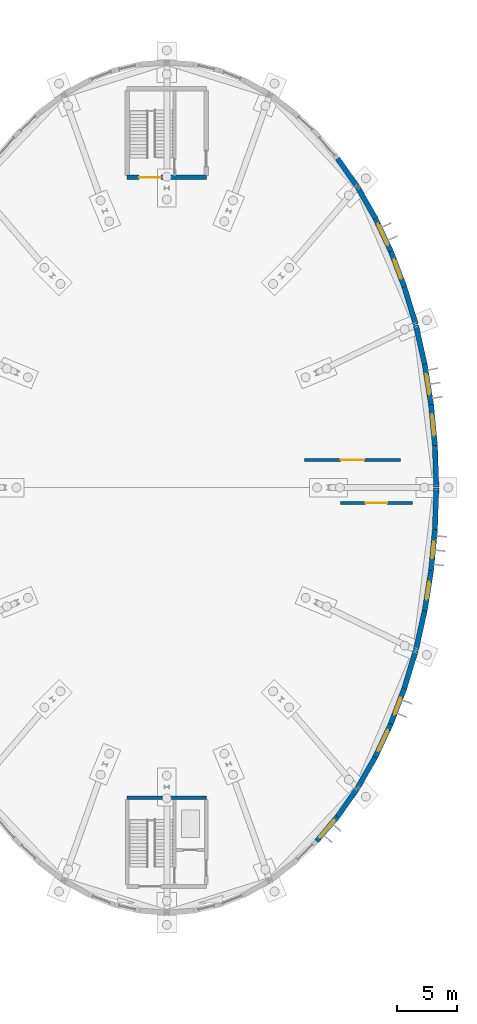
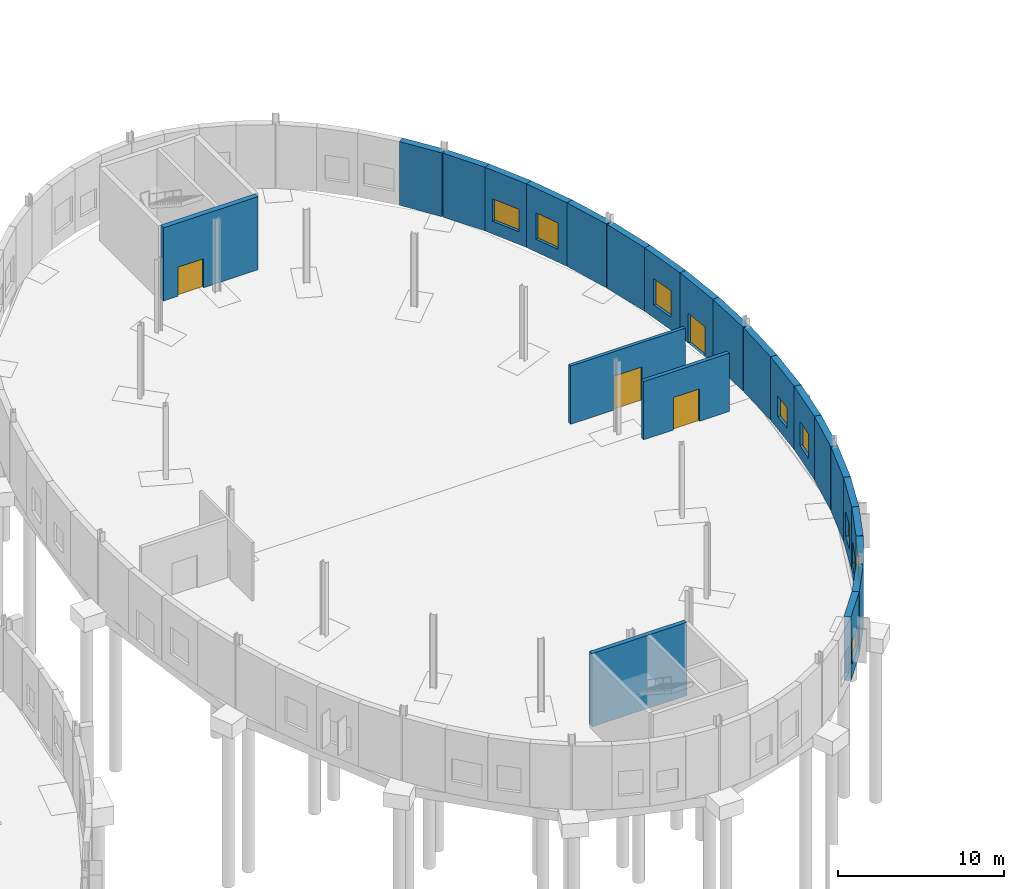
# One storey, part 96 of 118: 23 walls, 8 windows, 4 doors, 12 openings.
"""IFC4 building model written with IfcOpenShell, lengths in metres."""

from ifc_helpers import new_model, si_unit, direction, frame, frame_2d, origin, place, context, subcontext, project, spatial, rectangle, extrude, material, layer, layer_set, type_object, element, fill, save


model = new_model("IFC4")

# Units and contexts
model_context = context("Model", 3, precision=1e-05, world=origin(), true_north=direction((0.0, 1.0)))
body_context = subcontext(model_context, "Body", "Model", "MODEL_VIEW")
ifc_project = project(units=[si_unit("LENGTHUNIT", "METRE"), si_unit("AREAUNIT", "SQUARE_METRE"), si_unit("VOLUMEUNIT", "CUBIC_METRE"), si_unit("PLANEANGLEUNIT", "RADIAN"), si_unit("MASSUNIT", "GRAM", prefix="KILO")], contexts=[model_context])

# Site, building, storey
site_placement = place(None, origin())
site = spatial("IfcSite", under=ifc_project, at=site_placement, CompositionType="ELEMENT")
building_placement = place(site_placement, origin())
building = spatial("IfcBuilding", under=site, at=building_placement, Name="Kildeholm Park Wholesale Market", CompositionType="ELEMENT")
storey_placement = place(building_placement, origin())
storey = spatial("IfcBuildingStorey", under=building, at=storey_placement, Name="L00", CompositionType="ELEMENT", Elevation=0.0)

# Wall
ifc_material_1 = material(Name="Insulated clinker brick and glazed ceramic mosaic facade wall", Category="masonry")
ifc_layer_1 = layer(ifc_material_1, 0.43994140625)
ifc_layer_set_1 = layer_set([ifc_layer_1], Name="Insulated clinker brick and glazed ceramic mosaic facade wall")
wall_type_1 = type_object("IfcWallType", Name="Exterior wall W-EX3 440 mm", PredefinedType="SOLIDWALL", material=ifc_layer_set_1)
wall_1_placement = place(storey_placement, frame((210.5, 94.541015625, 0.0), z_axis=(0.0, 0.0, 1.0), x_axis=(-0.031816182625, 0.999493737111, 0.0)))
element("IfcWall", 1, at=wall_1_placement, inside=storey, type_object=wall_type_1, Name="Oval hall ground wall 1.1 WL-0207", PredefinedType="SOLIDWALL", context=body_context, shape_type="SweptSolid", body=[
    extrude(rectangle(XDim=3.460693359375, YDim=0.43994140625, at=frame_2d((1.73046875, 0.0))), origin(), (0.0, 0.0, 1.0), 4.699951171875),
])

# Wall, opening, door
wall_2_placement = place(storey_placement, frame((210.389892578125, 98.0, 0.0), z_axis=(0.0, 0.0, 1.0), x_axis=(-0.093509939446, 0.995618346167, 0.0)))
wall_2 = element("IfcWall", 2, at=wall_2_placement, inside=storey, type_object=wall_type_1, Name="Oval hall ground wall 1.2 WL-0208", PredefinedType="SOLIDWALL", context=body_context, shape_type="SweptSolid", body=[
    extrude(rectangle(XDim=3.441162109375, YDim=0.43994140625, at=frame_2d((1.720703125, 0.0))), origin(), (0.0, 0.0, 1.0), 4.699951171875),
])
opening_1_placement = place(wall_2_placement, frame((0.821044921875, 0.0, 0.0)))
opening_1 = element("IfcOpeningElement", 3, at=opening_1_placement, cuts=wall_2, Name="Opening D-EX01", PredefinedType="OPENING", context=body_context, shape_type="SweptSolid", body=[
    extrude(rectangle(XDim=1.800048828125, YDim=2.199951171875, at=frame_2d((0.89990234375, 1.10009765625))), frame((0.0, 0.22998046875, 0.0), z_axis=(0.0, -1.0, 0.0), x_axis=(1.0, 0.0, 0.0)), (0.0, 0.0, 1.0), 0.4599609375),
])
ifc_material_2 = material(Name="Anodised aluminium and safety glass", Category="aluminium")
door_type_1 = type_object("IfcDoorType", Name="Exterior door D-EX01 1800x2200", OperationType="NOTDEFINED", PredefinedType="DOOR", material=ifc_material_2)
door_1_placement = place(opening_1_placement, frame((1.800048828125, 0.0, 0.0), z_axis=(0.0, 0.0, 1.0), x_axis=(-1.0, 0.0, 0.0)))
door_1 = element("IfcDoor", 4, at=door_1_placement, inside=storey, type_object=door_type_1, Name="Oval hall public entrance 1 DR-0011 WL-0208", OperationType="DOUBLE_DOOR_SINGLE_SWING", OverallHeight=2.199951171875, OverallWidth=1.800048828125, PredefinedType="DOOR", context=body_context, shape_type="SweptSolid", body=[
    extrude(rectangle(XDim=1.800048828125, YDim=2.199951171875, at=frame_2d((0.89990234375, 1.10009765625))), frame((0.0, 0.02490234375, 0.0), z_axis=(0.0, -1.0, 0.0), x_axis=(1.0, 0.0, 0.0)), (0.0, 0.0, 1.0), 0.050048828125),
])
fill(opening_1, door_1)

# Wall, opening, window
wall_3_placement = place(storey_placement, frame((210.068115234375, 101.426025390625, 0.0), z_axis=(0.0, 0.0, 1.0), x_axis=(-0.156736432103, 0.98764046639, 0.0)))
wall_3 = element("IfcWall", 5, at=wall_3_placement, inside=storey, type_object=wall_type_1, Name="Oval hall ground wall 1.3 WL-0209", PredefinedType="SOLIDWALL", context=body_context, shape_type="SweptSolid", body=[
    extrude(rectangle(XDim=3.40185546875, YDim=0.43994140625, at=frame_2d((1.700927734375, 0.0))), origin(), (0.0, 0.0, 1.0), 4.699951171875),
])
opening_2_placement = place(wall_3_placement, frame((0.85107421875, 0.0, 0.949951171875)))
opening_2 = element("IfcOpeningElement", 6, at=opening_2_placement, cuts=wall_3, Name="Opening WN-21", PredefinedType="OPENING", context=body_context, shape_type="SweptSolid", body=[
    extrude(rectangle(XDim=1.699951171875, YDim=1.949951171875, at=frame_2d((0.85009765625, 0.97509765625))), frame((0.0, 0.22998046875, 0.0), z_axis=(0.0, -1.0, 0.0), x_axis=(1.0, 0.0, 0.0)), (0.0, 0.0, 1.0), 0.4599609375),
])
ifc_material_3 = material(Name="Thermally broken aluminium and triple-glazed low-E glass", Category="aluminium")
window_type_1 = type_object("IfcWindowType", Name="Window WN-21 1700x1950", PartitioningType="DOUBLE_PANEL_VERTICAL", PredefinedType="WINDOW", material=ifc_material_3)
window_1_placement = place(opening_2_placement, origin())
window_1 = element("IfcWindow", 7, at=window_1_placement, inside=storey, type_object=window_type_1, Name="Oval hall ground window 1.2 WIN-0045", OverallHeight=1.949951171875, OverallWidth=1.699951171875, PartitioningType="SINGLE_PANEL", PredefinedType="WINDOW", context=body_context, shape_type="SweptSolid", body=[
    extrude(rectangle(XDim=1.699951171875, YDim=1.949951171875, at=frame_2d((0.85009765625, 0.97509765625))), frame((0.0, 0.030029296875, 0.0), z_axis=(0.0, -1.0, 0.0), x_axis=(1.0, 0.0, 0.0)), (0.0, 0.0, 1.0), 0.06005859375),
])
fill(opening_2, window_1)

# Walls
wall_4_placement = place(storey_placement, frame((209.534912109375, 104.785888671875, 0.0), z_axis=(0.0, 0.0, 1.0), x_axis=(-0.220592446256, 0.975366071101, 0.0)))
element("IfcWall", 8, at=wall_4_placement, inside=storey, type_object=wall_type_1, Name="Oval hall ground wall 1.4 WL-0210", PredefinedType="SOLIDWALL", context=body_context, shape_type="SweptSolid", body=[
    extrude(rectangle(XDim=3.344482421875, YDim=0.43994140625, at=frame_2d((1.67236328125, 0.0))), origin(), (0.0, 0.0, 1.0), 4.699951171875),
])
wall_5_placement = place(storey_placement, frame((208.77587890625, 108.1259765625, 0.0), z_axis=(0.0, 0.0, 1.0), x_axis=(-0.287512482209, 0.957776890812, 0.0)))
element("IfcWall", 9, at=wall_5_placement, inside=storey, type_object=wall_type_1, Name="Oval hall ground wall 2.1 WL-0213", PredefinedType="SOLIDWALL", context=body_context, shape_type="SweptSolid", body=[
    extrude(rectangle(XDim=3.265869140625, YDim=0.43994140625, at=frame_2d((1.6328125, 0.0))), origin(), (0.0, 0.0, 1.0), 4.699951171875),
])

# Wall, opening, window
wall_6_placement = place(storey_placement, frame((207.8369140625, 111.25390625, 0.0), z_axis=(0.0, 0.0, 1.0), x_axis=(-0.355407153168, 0.934711589463, 0.0)))
wall_6 = element("IfcWall", 10, at=wall_6_placement, inside=storey, type_object=wall_type_1, Name="Oval hall ground wall 2.2 WL-0214", PredefinedType="SOLIDWALL", context=body_context, shape_type="SweptSolid", body=[
    extrude(rectangle(XDim=3.17626953125, YDim=0.43994140625, at=frame_2d((1.588134765625, 0.0))), origin(), (0.0, 0.0, 1.0), 4.699951171875),
])
opening_3_placement = place(wall_6_placement, frame((0.738037109375, 0.0, 0.949951171875)))
opening_3 = element("IfcOpeningElement", 11, at=opening_3_placement, cuts=wall_6, Name="Opening WN-21", PredefinedType="OPENING", context=body_context, shape_type="SweptSolid", body=[
    extrude(rectangle(XDim=1.699951171875, YDim=1.949951171875, at=frame_2d((0.85009765625, 0.97509765625))), frame((0.0, 0.22998046875, 0.0), z_axis=(0.0, -1.0, 0.0), x_axis=(1.0, 0.0, 0.0)), (0.0, 0.0, 1.0), 0.4599609375),
])
window_2_placement = place(opening_3_placement, origin())
window_2 = element("IfcWindow", 12, at=window_2_placement, inside=storey, type_object=window_type_1, Name="Oval hall ground window 2.1 WIN-0048", OverallHeight=1.949951171875, OverallWidth=1.699951171875, PartitioningType="SINGLE_PANEL", PredefinedType="WINDOW", context=body_context, shape_type="SweptSolid", body=[
    extrude(rectangle(XDim=1.699951171875, YDim=1.949951171875, at=frame_2d((0.85009765625, 0.97509765625))), frame((0.0, 0.030029296875, 0.0), z_axis=(0.0, -1.0, 0.0), x_axis=(1.0, 0.0, 0.0)), (0.0, 0.0, 1.0), 0.06005859375),
])
fill(opening_3, window_2)

wall_7_placement = place(storey_placement, frame((206.7080078125, 114.222900390625, 0.0), z_axis=(0.0, 0.0, 1.0), x_axis=(-0.425050654278, 0.905169564942, 0.0)))
wall_7 = element("IfcWall", 13, at=wall_7_placement, inside=storey, type_object=wall_type_1, Name="Oval hall ground wall 2.3 WL-0215", PredefinedType="SOLIDWALL", context=body_context, shape_type="SweptSolid", body=[
    extrude(rectangle(XDim=3.072265625, YDim=0.43994140625, at=frame_2d((1.5361328125, 0.0))), origin(), (0.0, 0.0, 1.0), 4.699951171875),
])
opening_4_placement = place(wall_7_placement, frame((0.56103515625, 0.0, 0.949951171875)))
opening_4 = element("IfcOpeningElement", 14, at=opening_4_placement, cuts=wall_7, Name="Opening WN-22", PredefinedType="OPENING", context=body_context, shape_type="SweptSolid", body=[
    extrude(rectangle(XDim=1.949951171875, YDim=1.64990234375, at=frame_2d((0.97509765625, 0.824951171875))), frame((0.0, 0.22998046875, 0.0), z_axis=(0.0, -1.0, 0.0), x_axis=(1.0, 0.0, 0.0)), (0.0, 0.0, 1.0), 0.4599609375),
])
window_type_2 = type_object("IfcWindowType", Name="Window WN-22 1950x1650", PartitioningType="DOUBLE_PANEL_VERTICAL", PredefinedType="WINDOW", material=ifc_material_3)
window_3_placement = place(opening_4_placement, origin())
window_3 = element("IfcWindow", 15, at=window_3_placement, inside=storey, type_object=window_type_2, Name="Oval hall ground window 2.2 WIN-0049", OverallHeight=1.64990234375, OverallWidth=1.949951171875, PartitioningType="SINGLE_PANEL", PredefinedType="WINDOW", context=body_context, shape_type="SweptSolid", body=[
    extrude(rectangle(XDim=1.949951171875, YDim=1.64990234375, at=frame_2d((0.97509765625, 0.824951171875))), frame((0.0, 0.030029296875, 0.0), z_axis=(0.0, -1.0, 0.0), x_axis=(1.0, 0.0, 0.0)), (0.0, 0.0, 1.0), 0.06005859375),
])
fill(opening_4, window_3)

# Walls
wall_8_placement = place(storey_placement, frame((205.402099609375, 117.00390625, 0.0), z_axis=(0.0, 0.0, 1.0), x_axis=(-0.497471035599, 0.867480586953, 0.0)))
element("IfcWall", 16, at=wall_8_placement, inside=storey, type_object=wall_type_1, Name="Oval hall ground wall 2.4 WL-0216", PredefinedType="SOLIDWALL", context=body_context, shape_type="SweptSolid", body=[
    extrude(rectangle(XDim=2.959228515625, YDim=0.43994140625, at=frame_2d((1.4794921875, 0.0))), origin(), (0.0, 0.0, 1.0), 4.699951171875),
])
wall_9_placement = place(storey_placement, frame((203.885986328125, 119.638916015625, 0.0), z_axis=(0.0, 0.0, 1.0), x_axis=(-0.57368792347, 0.81907396886, 0.0)))
element("IfcWall", 17, at=wall_9_placement, inside=storey, type_object=wall_type_1, Name="Oval hall ground wall 3.1 WL-0219", PredefinedType="SOLIDWALL", context=body_context, shape_type="SweptSolid", body=[
    extrude(rectangle(XDim=2.83251953125, YDim=0.43994140625, at=frame_2d((1.416259765625, 0.0))), origin(), (0.0, 0.0, 1.0), 4.699951171875),
])

# Wall, opening, window
wall_10_placement = place(storey_placement, frame((200.5, 64.98291015625, 0.0), z_axis=(0.0, 0.0, 1.0), x_axis=(0.650130504047, 0.759822563305, 0.0)))
wall_10 = element("IfcWall", 18, at=wall_10_placement, inside=storey, type_object=wall_type_1, Name="Oval hall ground wall 14.3 WL-0287", PredefinedType="SOLIDWALL", context=body_context, shape_type="SweptSolid", body=[
    extrude(rectangle(XDim=2.708740234375, YDim=0.43994140625, at=frame_2d((1.3544921875, 0.0))), origin(), (0.0, 0.0, 1.0), 4.699951171875),
])
opening_5_placement = place(wall_10_placement, frame((0.37890625, 0.0, 0.949951171875)))
opening_5 = element("IfcOpeningElement", 19, at=opening_5_placement, cuts=wall_10, Name="Opening WN-22", PredefinedType="OPENING", context=body_context, shape_type="SweptSolid", body=[
    extrude(rectangle(XDim=1.949951171875, YDim=1.64990234375, at=frame_2d((0.97509765625, 0.824951171875))), frame((0.0, 0.22998046875, 0.0), z_axis=(0.0, -1.0, 0.0), x_axis=(1.0, 0.0, 0.0)), (0.0, 0.0, 1.0), 0.4599609375),
])
window_4_placement = place(opening_5_placement, origin())
window_4 = element("IfcWindow", 20, at=window_4_placement, inside=storey, type_object=window_type_2, Name="Oval hall ground window 14.2 WIN-0082", OverallHeight=1.64990234375, OverallWidth=1.949951171875, PartitioningType="SINGLE_PANEL", PredefinedType="WINDOW", context=body_context, shape_type="SweptSolid", body=[
    extrude(rectangle(XDim=1.949951171875, YDim=1.64990234375, at=frame_2d((0.97509765625, 0.824951171875))), frame((0.0, 0.030029296875, 0.0), z_axis=(0.0, -1.0, 0.0), x_axis=(1.0, 0.0, 0.0)), (0.0, 0.0, 1.0), 0.06005859375),
])
fill(opening_5, window_4)

# Walls
wall_11_placement = place(storey_placement, frame((202.260986328125, 67.041015625, 0.0), z_axis=(0.0, 0.0, 1.0), x_axis=(0.57368792347, 0.81907396886, 0.0)))
element("IfcWall", 21, at=wall_11_placement, inside=storey, type_object=wall_type_1, Name="Oval hall ground wall 14.4 WL-0288", PredefinedType="SOLIDWALL", context=body_context, shape_type="SweptSolid", body=[
    extrude(rectangle(XDim=2.83251953125, YDim=0.43994140625, at=frame_2d((1.416259765625, 0.0))), origin(), (0.0, 0.0, 1.0), 4.699951171875),
])
wall_12_placement = place(storey_placement, frame((203.929931640625, 69.428955078125, 0.0), z_axis=(0.0, 0.0, 1.0), x_axis=(0.497471035599, 0.867480586953, 0.0)))
element("IfcWall", 22, at=wall_12_placement, inside=storey, type_object=wall_type_1, Name="Oval hall ground wall 15.1 WL-0291", PredefinedType="SOLIDWALL", context=body_context, shape_type="SweptSolid", body=[
    extrude(rectangle(XDim=2.959228515625, YDim=0.43994140625, at=frame_2d((1.4794921875, 0.0))), origin(), (0.0, 0.0, 1.0), 4.699951171875),
])

# Wall, opening, window
wall_13_placement = place(storey_placement, frame((205.402099609375, 71.99609375, 0.0), z_axis=(0.0, 0.0, 1.0), x_axis=(0.425050654278, 0.905169564942, 0.0)))
wall_13 = element("IfcWall", 23, at=wall_13_placement, inside=storey, type_object=wall_type_1, Name="Oval hall ground wall 15.2 WL-0292", PredefinedType="SOLIDWALL", context=body_context, shape_type="SweptSolid", body=[
    extrude(rectangle(XDim=3.072265625, YDim=0.43994140625, at=frame_2d((1.5361328125, 0.0))), origin(), (0.0, 0.0, 1.0), 4.699951171875),
])
opening_6_placement = place(wall_13_placement, frame((0.56103515625, 0.0, 0.949951171875)))
opening_6 = element("IfcOpeningElement", 24, at=opening_6_placement, cuts=wall_13, Name="Opening WN-22", PredefinedType="OPENING", context=body_context, shape_type="SweptSolid", body=[
    extrude(rectangle(XDim=1.949951171875, YDim=1.64990234375, at=frame_2d((0.97509765625, 0.824951171875))), frame((0.0, 0.22998046875, 0.0), z_axis=(0.0, -1.0, 0.0), x_axis=(1.0, 0.0, 0.0)), (0.0, 0.0, 1.0), 0.4599609375),
])
window_5_placement = place(opening_6_placement, origin())
window_5 = element("IfcWindow", 25, at=window_5_placement, inside=storey, type_object=window_type_2, Name="Oval hall ground window 15.1 WIN-0083", OverallHeight=1.64990234375, OverallWidth=1.949951171875, PartitioningType="SINGLE_PANEL", PredefinedType="WINDOW", context=body_context, shape_type="SweptSolid", body=[
    extrude(rectangle(XDim=1.949951171875, YDim=1.64990234375, at=frame_2d((0.97509765625, 0.824951171875))), frame((0.0, 0.030029296875, 0.0), z_axis=(0.0, -1.0, 0.0), x_axis=(1.0, 0.0, 0.0)), (0.0, 0.0, 1.0), 0.06005859375),
])
fill(opening_6, window_5)

wall_14_placement = place(storey_placement, frame((206.7080078125, 74.777099609375, 0.0), z_axis=(0.0, 0.0, 1.0), x_axis=(0.355407153168, 0.934711589463, 0.0)))
wall_14 = element("IfcWall", 26, at=wall_14_placement, inside=storey, type_object=wall_type_1, Name="Oval hall ground wall 15.3 WL-0293", PredefinedType="SOLIDWALL", context=body_context, shape_type="SweptSolid", body=[
    extrude(rectangle(XDim=3.17626953125, YDim=0.43994140625, at=frame_2d((1.588134765625, 0.0))), origin(), (0.0, 0.0, 1.0), 4.699951171875),
])
opening_7_placement = place(wall_14_placement, frame((0.837890625, 0.0, 0.949951171875)))
opening_7 = element("IfcOpeningElement", 27, at=opening_7_placement, cuts=wall_14, Name="Opening WN-06", PredefinedType="OPENING", context=body_context, shape_type="SweptSolid", body=[
    extrude(rectangle(XDim=1.5, YDim=1.800048828125, at=frame_2d((0.75, 0.89990234375))), frame((0.0, 0.22998046875, 0.0), z_axis=(0.0, -1.0, 0.0), x_axis=(1.0, 0.0, 0.0)), (0.0, 0.0, 1.0), 0.4599609375),
])
window_type_3 = type_object("IfcWindowType", Name="Window WN-06 1500x1800", PartitioningType="DOUBLE_PANEL_VERTICAL", PredefinedType="WINDOW", material=ifc_material_3)
window_6_placement = place(opening_7_placement, origin())
window_6 = element("IfcWindow", 28, at=window_6_placement, inside=storey, type_object=window_type_3, Name="Oval hall ground window 15.2 WIN-0084", OverallHeight=1.800048828125, OverallWidth=1.5, PartitioningType="SINGLE_PANEL", PredefinedType="WINDOW", context=body_context, shape_type="SweptSolid", body=[
    extrude(rectangle(XDim=1.5, YDim=1.800048828125, at=frame_2d((0.75, 0.89990234375))), frame((0.0, 0.030029296875, 0.0), z_axis=(0.0, -1.0, 0.0), x_axis=(1.0, 0.0, 0.0)), (0.0, 0.0, 1.0), 0.06005859375),
])
fill(opening_7, window_6)

# Walls
wall_15_placement = place(storey_placement, frame((207.8369140625, 77.74609375, 0.0), z_axis=(0.0, 0.0, 1.0), x_axis=(0.287512482209, 0.957776890812, 0.0)))
element("IfcWall", 29, at=wall_15_placement, inside=storey, type_object=wall_type_1, Name="Oval hall ground wall 15.4 WL-0294", PredefinedType="SOLIDWALL", context=body_context, shape_type="SweptSolid", body=[
    extrude(rectangle(XDim=3.265869140625, YDim=0.43994140625, at=frame_2d((1.6328125, 0.0))), origin(), (0.0, 0.0, 1.0), 4.699951171875),
])
wall_16_placement = place(storey_placement, frame((208.797119140625, 80.951904296875, 0.0), z_axis=(0.0, 0.0, 1.0), x_axis=(0.220592446256, 0.975366071101, 0.0)))
element("IfcWall", 30, at=wall_16_placement, inside=storey, type_object=wall_type_1, Name="Oval hall ground wall 16.1 WL-0297", PredefinedType="SOLIDWALL", context=body_context, shape_type="SweptSolid", body=[
    extrude(rectangle(XDim=3.344482421875, YDim=0.43994140625, at=frame_2d((1.67236328125, 0.0))), origin(), (0.0, 0.0, 1.0), 4.699951171875),
])

# Wall, opening, window
wall_17_placement = place(storey_placement, frame((209.534912109375, 84.214111328125, 0.0), z_axis=(0.0, 0.0, 1.0), x_axis=(0.156736432103, 0.98764046639, 0.0)))
wall_17 = element("IfcWall", 31, at=wall_17_placement, inside=storey, type_object=wall_type_1, Name="Oval hall ground wall 16.2 WL-0298", PredefinedType="SOLIDWALL", context=body_context, shape_type="SweptSolid", body=[
    extrude(rectangle(XDim=3.40185546875, YDim=0.43994140625, at=frame_2d((1.700927734375, 0.0))), origin(), (0.0, 0.0, 1.0), 4.699951171875),
])
opening_8_placement = place(wall_17_placement, frame((0.950927734375, 0.0, 0.949951171875)))
opening_8 = element("IfcOpeningElement", 32, at=opening_8_placement, cuts=wall_17, Name="Opening WN-06", PredefinedType="OPENING", context=body_context, shape_type="SweptSolid", body=[
    extrude(rectangle(XDim=1.5, YDim=1.800048828125, at=frame_2d((0.75, 0.89990234375))), frame((0.0, 0.22998046875, 0.0), z_axis=(0.0, -1.0, 0.0), x_axis=(1.0, 0.0, 0.0)), (0.0, 0.0, 1.0), 0.4599609375),
])
window_7_placement = place(opening_8_placement, origin())
window_7 = element("IfcWindow", 33, at=window_7_placement, inside=storey, type_object=window_type_3, Name="Oval hall ground window 16.1 WIN-0087", OverallHeight=1.800048828125, OverallWidth=1.5, PartitioningType="SINGLE_PANEL", PredefinedType="WINDOW", context=body_context, shape_type="SweptSolid", body=[
    extrude(rectangle(XDim=1.5, YDim=1.800048828125, at=frame_2d((0.75, 0.89990234375))), frame((0.0, 0.030029296875, 0.0), z_axis=(0.0, -1.0, 0.0), x_axis=(1.0, 0.0, 0.0)), (0.0, 0.0, 1.0), 0.06005859375),
])
fill(opening_8, window_7)

wall_18_placement = place(storey_placement, frame((210.068115234375, 87.573974609375, 0.0), z_axis=(0.0, 0.0, 1.0), x_axis=(0.093509939446, 0.995618346167, 0.0)))
wall_18 = element("IfcWall", 34, at=wall_18_placement, inside=storey, type_object=wall_type_1, Name="Oval hall ground wall 16.3 WL-0299", PredefinedType="SOLIDWALL", context=body_context, shape_type="SweptSolid", body=[
    extrude(rectangle(XDim=3.441162109375, YDim=0.43994140625, at=frame_2d((1.720703125, 0.0))), origin(), (0.0, 0.0, 1.0), 4.699951171875),
])
opening_9_placement = place(wall_18_placement, frame((1.0458984375, 0.0, 0.949951171875)))
opening_9 = element("IfcOpeningElement", 35, at=opening_9_placement, cuts=wall_18, Name="Opening WN-10", PredefinedType="OPENING", context=body_context, shape_type="SweptSolid", body=[
    extrude(rectangle(XDim=1.35009765625, YDim=1.5, at=frame_2d((0.675048828125, 0.75))), frame((0.0, 0.22998046875, 0.0), z_axis=(0.0, -1.0, 0.0), x_axis=(1.0, 0.0, 0.0)), (0.0, 0.0, 1.0), 0.4599609375),
])
window_type_4 = type_object("IfcWindowType", Name="Window WN-10 1350x1500", PartitioningType="SINGLE_PANEL", PredefinedType="WINDOW", material=ifc_material_3)
window_8_placement = place(opening_9_placement, origin())
window_8 = element("IfcWindow", 36, at=window_8_placement, inside=storey, type_object=window_type_4, Name="Oval hall ground window 16.2 WIN-0088", OverallHeight=1.5, OverallWidth=1.35009765625, PartitioningType="SINGLE_PANEL", PredefinedType="WINDOW", context=body_context, shape_type="SweptSolid", body=[
    extrude(rectangle(XDim=1.35009765625, YDim=1.5, at=frame_2d((0.675048828125, 0.75))), frame((0.0, 0.030029296875, 0.0), z_axis=(0.0, -1.0, 0.0), x_axis=(1.0, 0.0, 0.0)), (0.0, 0.0, 1.0), 0.06005859375),
])
fill(opening_9, window_8)

# Wall
wall_19_placement = place(storey_placement, frame((210.389892578125, 91.0, 0.0), z_axis=(0.0, 0.0, 1.0), x_axis=(0.031816182625, 0.999493737111, 0.0)))
element("IfcWall", 37, at=wall_19_placement, inside=storey, type_object=wall_type_1, Name="Oval hall ground wall 16.4 WL-0300", PredefinedType="SOLIDWALL", context=body_context, shape_type="SweptSolid", body=[
    extrude(rectangle(XDim=3.460693359375, YDim=0.43994140625, at=frame_2d((1.73046875, 0.0))), origin(), (0.0, 0.0, 1.0), 4.699951171875),
])

# Wall, opening, door
ifc_material_4 = material(Name="Insulated cold-store internal sandwich wall")
ifc_layer_2 = layer(ifc_material_4, 0.22509765625)
ifc_layer_set_2 = layer_set([ifc_layer_2], Name="Insulated cold-store internal sandwich wall")
wall_type_2 = type_object("IfcWallType", Name="Partition W-PT09 225 mm", PredefinedType="PARTITIONING", material=ifc_layer_set_2)
wall_20_placement = place(storey_placement, frame((199.5, 96.800048828125, 0.0), z_axis=(0.0, 0.0, 1.0), x_axis=(1.0, 0.0, 0.0)))
wall_20 = element("IfcWall", 38, at=wall_20_placement, inside=storey, type_object=wall_type_2, Name="Interior partition W-V2-ICE-S WL-0959", PredefinedType="PARTITIONING", context=body_context, shape_type="SweptSolid", body=[
    extrude(rectangle(XDim=8.0, YDim=0.22509765625, at=frame_2d((4.0, 0.0))), origin(), (0.0, 0.0, 1.0), 4.300048828125),
])
opening_10_placement = place(wall_20_placement, frame((3.02490234375, 0.0, 0.0)))
opening_10 = element("IfcOpeningElement", 39, at=opening_10_placement, cuts=wall_20, Name="Opening D-CS03", PredefinedType="OPENING", context=body_context, shape_type="SweptSolid", body=[
    extrude(rectangle(XDim=1.949951171875, YDim=2.5, at=frame_2d((0.97509765625, 1.25))), frame((0.0, 0.12255859375, 0.0), z_axis=(0.0, -1.0, 0.0), x_axis=(1.0, 0.0, 0.0)), (0.0, 0.0, 1.0), 0.2451171875),
])
ifc_material_5 = material(Name="Insulated stainless-steel dairy chiller sliding door", Category="steel")
door_type_2 = type_object("IfcDoorType", Name="Interior door D-CS03 1950x2500", OperationType="NOTDEFINED", PredefinedType="DOOR", material=ifc_material_5)
door_2_placement = place(opening_10_placement, origin())
door_2 = element("IfcDoor", 40, at=door_2_placement, inside=storey, type_object=door_type_2, Name="Interior door V2-ICE-S DR-0234 WL-0959", OperationType="SLIDING_TO_RIGHT", OverallHeight=2.5, OverallWidth=1.949951171875, PredefinedType="DOOR", context=body_context, shape_type="SweptSolid", body=[
    extrude(rectangle(XDim=1.949951171875, YDim=2.5, at=frame_2d((0.97509765625, 1.25))), frame((0.0, 0.02490234375, 0.0), z_axis=(0.0, -1.0, 0.0), x_axis=(1.0, 0.0, 0.0)), (0.0, 0.0, 1.0), 0.050048828125),
])
fill(opening_10, door_2)

ifc_material_6 = material(Name="High-insulation chiller compartment wall")
ifc_layer_3 = layer(ifc_material_6, 0.260009765625)
ifc_layer_set_3 = layer_set([ifc_layer_3], Name="High-insulation chiller compartment wall")
wall_type_3 = type_object("IfcWallType", Name="Partition W-PT10 260 mm", PredefinedType="PARTITIONING", material=ifc_layer_set_3)
wall_21_placement = place(storey_placement, frame((202.5, 93.199951171875, 0.0), z_axis=(0.0, 0.0, 1.0), x_axis=(1.0, 0.0, 0.0)))
wall_21 = element("IfcWall", 41, at=wall_21_placement, inside=storey, type_object=wall_type_3, Name="Interior partition W-V2-DIV-E WL-0958", PredefinedType="PARTITIONING", context=body_context, shape_type="SweptSolid", body=[
    extrude(rectangle(XDim=6.0, YDim=0.260009765625, at=frame_2d((3.0, 0.0))), origin(), (0.0, 0.0, 1.0), 4.300048828125),
])
opening_11_placement = place(wall_21_placement, frame((2.10009765625, 0.0, 0.0)))
opening_11 = element("IfcOpeningElement", 42, at=opening_11_placement, cuts=wall_21, Name="Opening D-CS01", PredefinedType="OPENING", context=body_context, shape_type="SweptSolid", body=[
    extrude(rectangle(XDim=1.800048828125, YDim=2.39990234375, at=frame_2d((0.89990234375, 1.199951171875))), frame((0.0, 0.139892578125, 0.0), z_axis=(0.0, -1.0, 0.0), x_axis=(1.0, 0.0, 0.0)), (0.0, 0.0, 1.0), 0.280029296875),
])
ifc_material_7 = material(Name="Insulated stainless-steel sliding cold-store door", Category="steel")
door_type_3 = type_object("IfcDoorType", Name="Interior door D-CS01 1800x2400", OperationType="NOTDEFINED", PredefinedType="DOOR", material=ifc_material_7)
door_3_placement = place(opening_11_placement, origin())
door_3 = element("IfcDoor", 43, at=door_3_placement, inside=storey, type_object=door_type_3, Name="Interior door V2-DIV-E DR-0233 WL-0958", OperationType="SLIDING_TO_LEFT", OverallHeight=2.39990234375, OverallWidth=1.800048828125, PredefinedType="DOOR", context=body_context, shape_type="SweptSolid", body=[
    extrude(rectangle(XDim=1.800048828125, YDim=2.39990234375, at=frame_2d((0.89990234375, 1.199951171875))), frame((0.0, 0.02490234375, 0.0), z_axis=(0.0, -1.0, 0.0), x_axis=(1.0, 0.0, 0.0)), (0.0, 0.0, 1.0), 0.050048828125),
])
fill(opening_11, door_3)

# Wall
ifc_material_8 = material(Name="Concrete C40/50", Category="concrete")
ifc_layer_4 = layer(ifc_material_8, 0.300048828125)
ifc_layer_set_4 = layer_set([ifc_layer_4], Name="Concrete C40/50")
wall_type_4 = type_object("IfcWallType", Name="Shear wall W-SH1 300 mm", PredefinedType="SHEAR", material=ifc_layer_set_4)
wall_22_placement = place(storey_placement, frame((184.699951171875, 68.60009765625, 0.0), z_axis=(0.0, 0.0, 1.0), x_axis=(1.0, 0.0, 0.0)))
element("IfcWall", 44, at=wall_22_placement, inside=storey, type_object=wall_type_4, Name="Core C12 north shear wall L00 WL-0859", PredefinedType="SHEAR", context=body_context, shape_type="SweptSolid", body=[
    extrude(rectangle(XDim=6.60009765625, YDim=0.300048828125, at=frame_2d((3.300048828125, 0.0))), origin(), (0.0, 0.0, 1.0), 5.39990234375),
])

# Wall, opening, door
ifc_layer_5 = layer(ifc_material_8, 0.35009765625)
ifc_layer_set_5 = layer_set([ifc_layer_5], Name="Concrete C40/50")
wall_type_5 = type_object("IfcWallType", Name="Shear wall W-SH3 350 mm", PredefinedType="SHEAR", material=ifc_layer_set_5)
wall_23_placement = place(storey_placement, frame((184.699951171875, 120.39990234375, 0.0), z_axis=(0.0, 0.0, 1.0), x_axis=(1.0, 0.0, 0.0)))
wall_23 = element("IfcWall", 45, at=wall_23_placement, inside=storey, type_object=wall_type_5, Name="Core C13 south shear wall L00 WL-0876", PredefinedType="SHEAR", context=body_context, shape_type="SweptSolid", body=[
    extrude(rectangle(XDim=6.60009765625, YDim=0.35009765625, at=frame_2d((3.300048828125, 0.0))), origin(), (0.0, 0.0, 1.0), 5.39990234375),
])
opening_12_placement = place(wall_23_placement, frame((1.0, 0.0, 0.0)))
opening_12 = element("IfcOpeningElement", 46, at=opening_12_placement, cuts=wall_23, Name="Opening D-EX05", PredefinedType="OPENING", context=body_context, shape_type="SweptSolid", body=[
    extrude(rectangle(XDim=1.800048828125, YDim=2.14990234375, at=frame_2d((0.89990234375, 1.074951171875))), frame((0.0, 0.18505859375, 0.0), z_axis=(0.0, -1.0, 0.0), x_axis=(1.0, 0.0, 0.0)), (0.0, 0.0, 1.0), 0.3701171875),
])
ifc_material_9 = material(Name="Painted galvanized steel escape doorset", Category="steel")
door_type_4 = type_object("IfcDoorType", Name="Exterior door D-EX05 1800x2150", OperationType="NOTDEFINED", PredefinedType="DOOR", material=ifc_material_9)
door_4_placement = place(opening_12_placement, frame((1.800048828125, 0.0, 0.0), z_axis=(0.0, 0.0, 1.0), x_axis=(-1.0, 0.0, 0.0)))
door_4 = element("IfcDoor", 47, at=door_4_placement, inside=storey, type_object=door_type_4, Name="Core C13 grade stair discharge door DR-0192 WL-0876", OperationType="DOUBLE_DOOR_SINGLE_SWING", OverallHeight=2.14990234375, OverallWidth=1.800048828125, PredefinedType="DOOR", context=body_context, shape_type="SweptSolid", body=[
    extrude(rectangle(XDim=1.800048828125, YDim=2.14990234375, at=frame_2d((0.89990234375, 1.074951171875))), frame((0.0, 0.02490234375, 0.0), z_axis=(0.0, -1.0, 0.0), x_axis=(1.0, 0.0, 0.0)), (0.0, 0.0, 1.0), 0.050048828125),
])
fill(opening_12, door_4)

save(model, "model.ifc")
